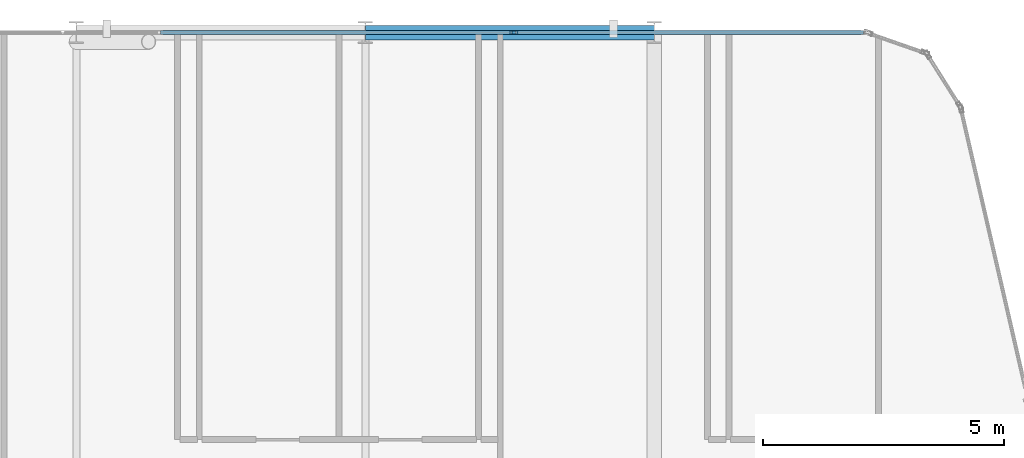
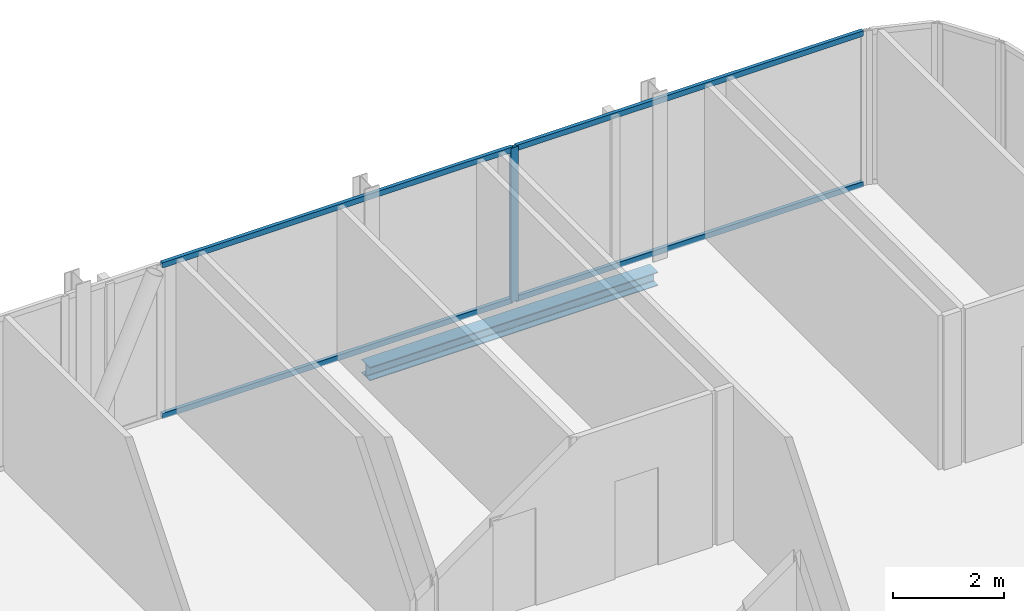
# One storey, part 19 of 29: 5 members, 1 beam, 1 element without a shape of its own.
"""IFC4 building model written with IfcOpenShell, lengths in metres."""

from ifc_helpers import new_model, si_unit, direction, frame, origin, origin_2d, place, context, subcontext, project, spatial, hollow_rectangle, i_section, extrude, material, layer, layer_set, material_profile, profile_set, type_object, element, aggregate, save


model = new_model("IFC4")

# Units and contexts
model_context = context("Model", 3, precision=1e-05, world=origin(), true_north=direction((0.0, 1.0)))
body_context = subcontext(model_context, "Body", "Model", "MODEL_VIEW")
ifc_project = project(units=[si_unit("LENGTHUNIT", "METRE"), si_unit("AREAUNIT", "SQUARE_METRE"), si_unit("VOLUMEUNIT", "CUBIC_METRE"), si_unit("PLANEANGLEUNIT", "RADIAN"), si_unit("MASSUNIT", "GRAM", prefix="KILO")], contexts=[model_context])

# Site, building, storey
site_placement = place(None, origin())
site = spatial("IfcSite", under=ifc_project, at=site_placement, CompositionType="ELEMENT")
building_placement = place(site_placement, origin())
building = spatial("IfcBuilding", under=site, at=building_placement, Name="Keshet Zoharim Tower", CompositionType="ELEMENT")
storey_placement = place(building_placement, frame((0.0, 0.0, 210.60009765625)))
storey = spatial("IfcBuildingStorey", under=building, at=storey_placement, Name="L52", CompositionType="ELEMENT", Elevation=210.60009765625)

# Beam
ifc_material_1 = material(Name="Steel S355", Category="steel")
ifc_material_profile_1 = material_profile(ifc_material_1, i_section(OverallWidth=0.300048828125, OverallDepth=0.300048828125, WebThickness=0.010986328125, FlangeThickness=0.01904296875, FilletRadius=0.027099609375, at=origin_2d()), Name="HEB300")
ifc_profile_set_1 = profile_set([ifc_material_profile_1], Name="Steel S355")
beam_type = type_object("IfcBeamType", Name="BM-PRI-HB300", PredefinedType="BEAM", material=ifc_profile_set_1)
beam_placement = place(storey_placement, frame((27.0, 53.89990234375, -0.460205078125), z_axis=(1.0, 0.0, 0.0), x_axis=(0.0, 1.0, 0.0)))
element("IfcBeam", 1, at=beam_placement, inside=storey, type_object=beam_type, Name="L52 Primary Girder X-020", PredefinedType="BEAM", context=body_context, shape_type="SweptSolid", body=[
    extrude(i_section(OverallWidth=0.300048828125, OverallDepth=0.300048828125, WebThickness=0.010986328125, FlangeThickness=0.01904296875, FilletRadius=0.027099609375, at=origin_2d()), origin(), (0.0, 0.0, 1.0), 6.0),
])

# Curtain wall, members
ifc_material_2 = material(Name="Aluminium 6063-T6", Category="aluminium")
ifc_layer = layer(ifc_material_2, 0.139892578125)
ifc_layer_set = layer_set([ifc_layer], Name="Aluminium 6063-T6")
curtain_wall_type = type_object("IfcCurtainWallType", Name="CW-SYS-05", PredefinedType="NOTDEFINED", material=ifc_layer_set)
curtain_wall_placement = place(storey_placement, origin())
curtain_wall = element("IfcCurtainWall", 2, at=curtain_wall_placement, inside=storey, type_object=curtain_wall_type, Name="L52 Unitised Curtain Wall 16 Part 3", PredefinedType="NOTDEFINED")
ifc_material_profile_2 = material_profile(ifc_material_2, hollow_rectangle(XDim=0.074951171875, YDim=0.159912109375, WallThickness=0.00390625, at=origin_2d()), Name="MUL-75x160")
ifc_profile_set_2 = profile_set([ifc_material_profile_2], Name="Aluminium 6063-T6")
member_type_1 = type_object("IfcMemberType", Name="CWM-M15", PredefinedType="MULLION", material=ifc_profile_set_2)
member_1_placement = place(storey_placement, frame((30.07861328125, 53.89990234375, 0.0), z_axis=(0.0, 0.0, 1.0), x_axis=(0.0, 1.0, 0.0)))
member_1 = element("IfcMember", 3, at=member_1_placement, type_object=member_type_1, Name="CW-05 mullion 2", PredefinedType="MULLION", context=body_context, shape_type="SweptSolid", body=[
    extrude(hollow_rectangle(XDim=0.074951171875, YDim=0.159912109375, WallThickness=0.00390625, at=origin_2d()), origin(), (0.0, 0.0, 1.0), 3.389892578125),
])
ifc_material_profile_3 = material_profile(ifc_material_2, hollow_rectangle(XDim=0.074951171875, YDim=0.1201171875, WallThickness=0.00390625, at=origin_2d()), Name="TRN-75x120")
ifc_profile_set_3 = profile_set([ifc_material_profile_3], Name="Aluminium 6063-T6")
member_type_2 = type_object("IfcMemberType", Name="CWT-T12", PredefinedType="USERDEFINED", material=ifc_profile_set_3)
member_2_placement = place(storey_placement, frame((22.748046875, 53.89990234375, 0.034912109375), z_axis=(1.0, 0.0, 0.0), x_axis=(0.0, 1.0, 0.0)))
member_2 = element("IfcMember", 4, at=member_2_placement, type_object=member_type_2, Name="CW-05 transom 1.1", ObjectType="TRANSOM", PredefinedType="USERDEFINED", context=body_context, shape_type="SweptSolid", body=[
    extrude(hollow_rectangle(XDim=0.074951171875, YDim=0.1201171875, WallThickness=0.00390625, at=origin_2d()), origin(), (0.0, 0.0, 1.0), 7.29541015625),
])
member_3_placement = place(storey_placement, frame((22.748046875, 53.89990234375, 3.35498046875), z_axis=(1.0, 0.0, 0.0), x_axis=(0.0, 1.0, 0.0)))
member_3 = element("IfcMember", 5, at=member_3_placement, type_object=member_type_2, Name="CW-05 transom 1.2", ObjectType="TRANSOM", PredefinedType="USERDEFINED", context=body_context, shape_type="SweptSolid", body=[
    extrude(hollow_rectangle(XDim=0.074951171875, YDim=0.1201171875, WallThickness=0.00390625, at=origin_2d()), origin(), (0.0, 0.0, 1.0), 7.29541015625),
])
member_4_placement = place(storey_placement, frame((30.113525390625, 53.89990234375, 0.034912109375), z_axis=(1.0, 0.0, 0.0), x_axis=(0.0, 1.0, 0.0)))
member_4 = element("IfcMember", 6, at=member_4_placement, type_object=member_type_2, Name="CW-05 transom 2.1", ObjectType="TRANSOM", PredefinedType="USERDEFINED", context=body_context, shape_type="SweptSolid", body=[
    extrude(hollow_rectangle(XDim=0.074951171875, YDim=0.1201171875, WallThickness=0.00390625, at=origin_2d()), origin(), (0.0, 0.0, 1.0), 7.2255859375),
])
member_5_placement = place(storey_placement, frame((30.113525390625, 53.89990234375, 3.35498046875), z_axis=(1.0, 0.0, 0.0), x_axis=(0.0, 1.0, 0.0)))
member_5 = element("IfcMember", 7, at=member_5_placement, type_object=member_type_2, Name="CW-05 transom 2.2", ObjectType="TRANSOM", PredefinedType="USERDEFINED", context=body_context, shape_type="SweptSolid", body=[
    extrude(hollow_rectangle(XDim=0.074951171875, YDim=0.1201171875, WallThickness=0.00390625, at=origin_2d()), origin(), (0.0, 0.0, 1.0), 7.2255859375),
])
aggregate(curtain_wall, [member_1, member_2, member_3, member_4, member_5])

save(model, "model.ifc")
